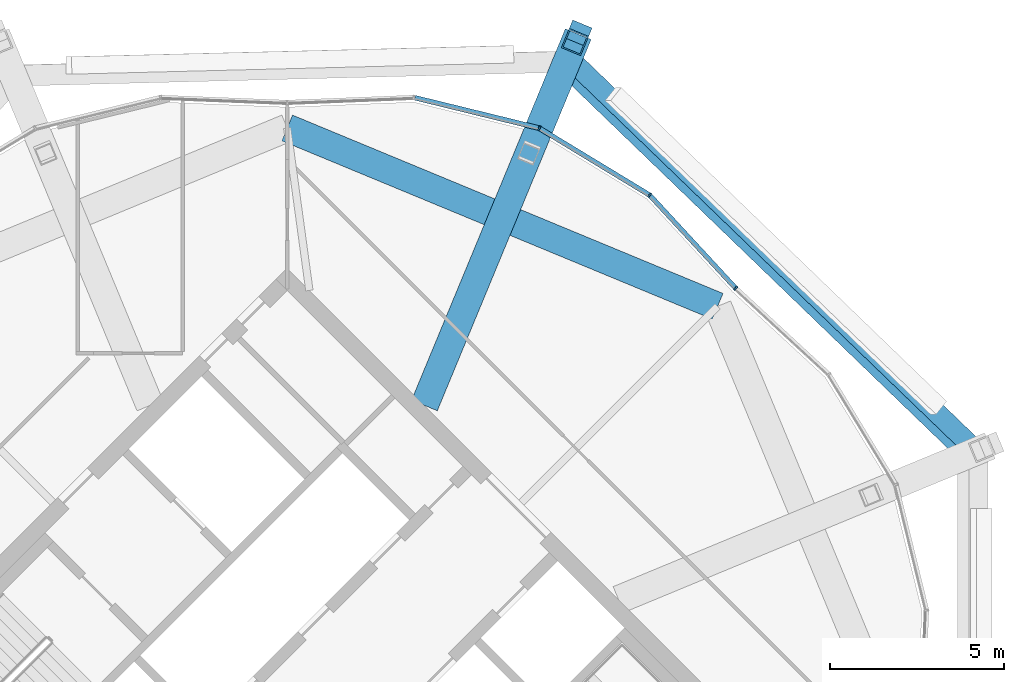
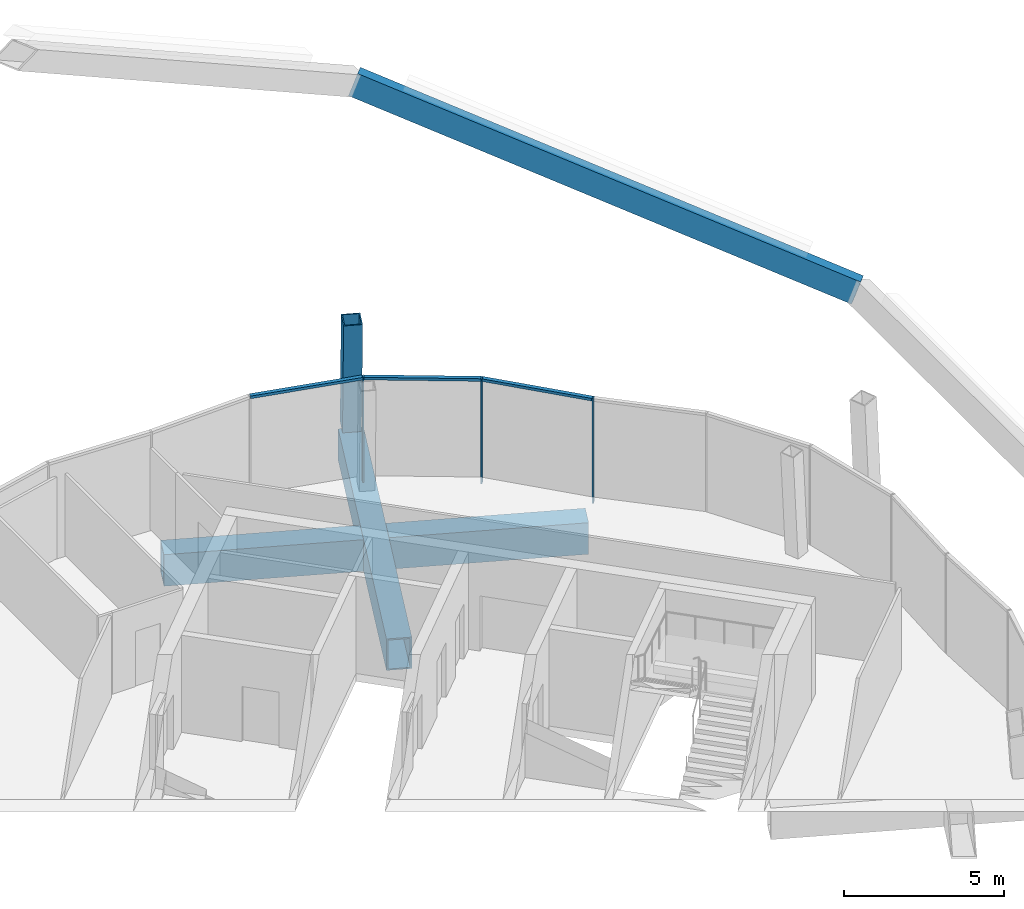
# One storey, part 25 of 34: 7 members, 3 beams, 2 elements without a shape of their own.
"""IFC4 building model written with IfcOpenShell, lengths in metres."""

from ifc_helpers import new_model, si_unit, direction, frame, origin, origin_2d, place, context, subcontext, project, spatial, rectangle, hollow_rectangle, extrude, material, material_profile, profile_set, type_object, element, aggregate, save


model = new_model("IFC4")

# Units and contexts
model_context = context("Model", 3, precision=1e-05, world=origin(), true_north=direction((0.0, 1.0)))
body_context = subcontext(model_context, "Body", "Model", "MODEL_VIEW")
ifc_project = project(units=[si_unit("LENGTHUNIT", "METRE"), si_unit("AREAUNIT", "SQUARE_METRE"), si_unit("VOLUMEUNIT", "CUBIC_METRE"), si_unit("PLANEANGLEUNIT", "RADIAN"), si_unit("MASSUNIT", "GRAM", prefix="KILO")], contexts=[model_context])

# Site, building, storey
site_placement = place(None, origin())
site = spatial("IfcSite", under=ifc_project, at=site_placement, CompositionType="ELEMENT")
building_placement = place(site_placement, origin())
building = spatial("IfcBuilding", under=site, at=building_placement, Name="Ogive Gate Towers", CompositionType="ELEMENT")
storey_placement = place(building_placement, frame((0.0, 0.0, 294.0)))
storey = spatial("IfcBuildingStorey", under=building, at=storey_placement, Name="L69", CompositionType="ELEMENT", Elevation=294.0)

# Curtain wall, member
ifc_material_1 = material(Name="Pale metal aluminium", Category="aluminium")
curtain_wall_type = type_object("IfcCurtainWallType", Name="Crown lean wall", PredefinedType="NOTDEFINED", material=ifc_material_1)
curtain_wall_1_placement = place(storey_placement, origin())
curtain_wall_1 = element("IfcCurtainWall", 1, at=curtain_wall_1_placement, inside=storey, type_object=curtain_wall_type, Name="CW5 T2 ECW01", PredefinedType="NOTDEFINED")
ifc_material_profile_1 = material_profile(ifc_material_1, rectangle(XDim=0.139892578125, YDim=0.050048828125, at=origin_2d()), Name="50 x 140 aluminium box")
ifc_profile_set_1 = profile_set([ifc_material_profile_1], Name="Pale metal aluminium")
member_type_1 = type_object("IfcMemberType", Name="Crown lean wall mullion 50 x 140", PredefinedType="MULLION", material=ifc_profile_set_1)
member_1_placement = place(storey_placement, frame((48.85791015625, 12.859619140625, -0.300048828125), z_axis=(0.0, 0.0, 1.0), x_axis=(-0.678557197649, -0.734547567907, 0.0)))
member_1 = element("IfcMember", 2, at=member_1_placement, type_object=member_type_1, Name="CW5 mullion", PredefinedType="MULLION", context=body_context, shape_type="SweptSolid", body=[
    extrude(rectangle(XDim=0.139892578125, YDim=0.050048828125, at=origin_2d()), origin(), (0.0, 0.0, 1.0), 4.0),
])
aggregate(curtain_wall_1, [member_1])

# Curtain wall, members
curtain_wall_2_placement = place(storey_placement, origin())
curtain_wall_2 = element("IfcCurtainWall", 3, at=curtain_wall_2_placement, inside=storey, type_object=curtain_wall_type, Name="CW5 T2 ECW02", PredefinedType="NOTDEFINED")
member_2_placement = place(storey_placement, frame((43.227294921875, 17.448486328125, -0.300048828125), z_axis=(0.0, 0.0, 1.0), x_axis=(-0.382683432365, -0.923879532511, 0.0)))
member_2 = element("IfcMember", 4, at=member_2_placement, type_object=member_type_1, Name="CW5 mullion", PredefinedType="MULLION", context=body_context, shape_type="SweptSolid", body=[
    extrude(rectangle(XDim=0.139892578125, YDim=0.050048828125, at=origin_2d()), origin(), (0.0, 0.0, 1.0), 4.0),
])
member_3_placement = place(storey_placement, frame((46.3916015625, 15.529296875, -0.300048828125), z_axis=(0.0, 0.0, 1.0), x_axis=(-0.632759389826, -0.77434847103, 0.0)))
member_3 = element("IfcMember", 5, at=member_3_placement, type_object=member_type_1, Name="CW5 mullion", PredefinedType="MULLION", context=body_context, shape_type="SweptSolid", body=[
    extrude(rectangle(XDim=0.139892578125, YDim=0.050048828125, at=origin_2d()), origin(), (0.0, 0.0, 1.0), 4.0),
])
ifc_material_profile_2 = material_profile(ifc_material_1, rectangle(XDim=0.139892578125, YDim=0.10009765625, at=origin_2d()), Name="100 x 140 aluminium box")
ifc_profile_set_2 = profile_set([ifc_material_profile_2], Name="Pale metal aluminium")
member_type_2 = type_object("IfcMemberType", Name="Crown lean wall transom 100 x 140", PredefinedType="USERDEFINED", material=ifc_profile_set_2)
member_4_placement = place(storey_placement, frame((39.661376953125, 18.322265625, 3.64990234375), z_axis=(0.971286879925, -0.237911321475, 0.0), x_axis=(0.237911321475, 0.971286879925, 0.0)))
member_4 = element("IfcMember", 6, at=member_4_placement, type_object=member_type_2, Name="CW5 transom", ObjectType="TRANSOM", PredefinedType="USERDEFINED", context=body_context, shape_type="SweptSolid", body=[
    extrude(rectangle(XDim=0.139892578125, YDim=0.10009765625, at=origin_2d()), origin(), (0.0, 0.0, 1.0), 3.641845703125),
])
member_5_placement = place(storey_placement, frame((43.252685546875, 17.43359375, 3.64990234375), z_axis=(0.854998787074, -0.518629997302, 0.0), x_axis=(0.518629997302, 0.854998787074, 0.0)))
member_5 = element("IfcMember", 7, at=member_5_placement, type_object=member_type_2, Name="CW5 transom", ObjectType="TRANSOM", PredefinedType="USERDEFINED", context=body_context, shape_type="SweptSolid", body=[
    extrude(rectangle(XDim=0.139892578125, YDim=0.10009765625, at=origin_2d()), origin(), (0.0, 0.0, 1.0), 3.64208984375),
])
member_6_placement = place(storey_placement, frame((46.41162109375, 15.508056640625, 3.64990234375), z_axis=(0.678546090414, -0.734557828346, 0.0), x_axis=(0.734557828346, 0.678546090414, 0.0)))
member_6 = element("IfcMember", 8, at=member_6_placement, type_object=member_type_2, Name="CW5 transom", ObjectType="TRANSOM", PredefinedType="USERDEFINED", context=body_context, shape_type="SweptSolid", body=[
    extrude(rectangle(XDim=0.139892578125, YDim=0.10009765625, at=origin_2d()), origin(), (0.0, 0.0, 1.0), 3.582763671875),
])
aggregate(curtain_wall_2, [member_2, member_4, member_3, member_5, member_6])

# Member
ifc_material_2 = material(Name="Steel SM460", Category="steel")
ifc_material_profile_3 = material_profile(ifc_material_2, hollow_rectangle(XDim=0.60009765625, YDim=0.60009765625, WallThickness=0.0400390625, at=origin_2d()), Name="BX 600x600x40")
ifc_profile_set_3 = profile_set([ifc_material_profile_3], Name="Steel SM460")
member_type_3 = type_object("IfcMemberType", Name="Crown rib BX 600x600x40", PredefinedType="MEMBER", material=ifc_profile_set_3)
member_7_placement = place(storey_placement, frame((44.350341796875, 20.159423828125, -0.25), z_axis=(-0.023393742281, -0.056420201971, 0.998133003979), x_axis=(0.923742113572, -0.3830150227, 0.0)))
element("IfcMember", 9, at=member_7_placement, inside=storey, type_object=member_type_3, Name="T2/L69/STR002", PredefinedType="MEMBER", context=body_context, shape_type="SweptSolid", body=[
    extrude(hollow_rectangle(XDim=0.60009765625, YDim=0.60009765625, WallThickness=0.0400390625, at=origin_2d()), origin(), (0.0, 0.0, 1.0), 4.258056640625),
])

# Beams
ifc_material_profile_4 = material_profile(ifc_material_2, hollow_rectangle(XDim=0.60009765625, YDim=0.800048828125, WallThickness=0.0400390625, at=origin_2d()), Name="BX 800x600x40")
ifc_profile_set_4 = profile_set([ifc_material_profile_4], Name="Steel SM460")
beam_type_1 = type_object("IfcBeamType", Name="Crown ring beam BX 800x600x40", PredefinedType="BEAM", material=ifc_profile_set_4)
beam_1_placement = place(storey_placement, frame((55.653076171875, 8.140625, 8.26953125), z_axis=(-0.685197707723, 0.660710955378, 0.306537330149), x_axis=(0.603109909205, 0.750640415537, -0.269809940478)))
element("IfcBeam", 10, at=beam_1_placement, inside=storey, type_object=beam_type_1, Name="T2/L69/SBM001", PredefinedType="BEAM", context=body_context, shape_type="SweptSolid", body=[
    extrude(hollow_rectangle(XDim=0.60009765625, YDim=0.800048828125, WallThickness=0.0400390625, at=origin_2d()), origin(), (0.0, 0.0, 1.0), 16.9794921875),
])
ifc_material_profile_5 = material_profile(ifc_material_2, hollow_rectangle(XDim=0.800048828125, YDim=1.199951171875, WallThickness=0.050048828125, at=origin_2d()), Name="BX 1200x800x50")
ifc_profile_set_5 = profile_set([ifc_material_profile_5], Name="Steel SM460")
beam_type_2 = type_object("IfcBeamType", Name="Edge girder BX 1200x800x50", PredefinedType="BEAM", material=ifc_profile_set_5)
beam_2_placement = place(storey_placement, frame((48.342529296875, 12.342529296875, -0.89990234375), z_axis=(-0.923876732551, 0.382690191996, 0.0), x_axis=(-0.382690191996, -0.923876732551, 0.0)))
element("IfcBeam", 11, at=beam_2_placement, inside=storey, type_object=beam_type_2, Name="T2/L69/SBM029", PredefinedType="BEAM", context=body_context, shape_type="SweptSolid", body=[
    extrude(hollow_rectangle(XDim=0.800048828125, YDim=1.199951171875, WallThickness=0.050048828125, at=origin_2d()), origin(), (0.0, 0.0, 1.0), 13.359619140625),
])
ifc_material_profile_6 = material_profile(ifc_material_2, hollow_rectangle(XDim=0.800048828125, YDim=1.199951171875, WallThickness=0.050048828125, at=origin_2d()), Name="BX 1200x800x50")
ifc_profile_set_6 = profile_set([ifc_material_profile_6], Name="Steel SM460")
beam_type_3 = type_object("IfcBeamType", Name="Transfer radial beam BX 1200x800x50", PredefinedType="BEAM", material=ifc_profile_set_6)
beam_3_placement = place(storey_placement, frame((39.93505859375, 9.5, -0.89990234375), z_axis=(0.382684265017, 0.923879187615, 0.0), x_axis=(-0.923879187615, 0.382684265017, 0.0)))
element("IfcBeam", 12, at=beam_3_placement, inside=storey, type_object=beam_type_3, Name="T2/L69/SBM018", PredefinedType="BEAM", context=body_context, shape_type="SweptSolid", body=[
    extrude(hollow_rectangle(XDim=0.800048828125, YDim=1.199951171875, WallThickness=0.050048828125, at=origin_2d()), origin(), (0.0, 0.0, 1.0), 11.5224609375),
])

save(model, "model.ifc")
